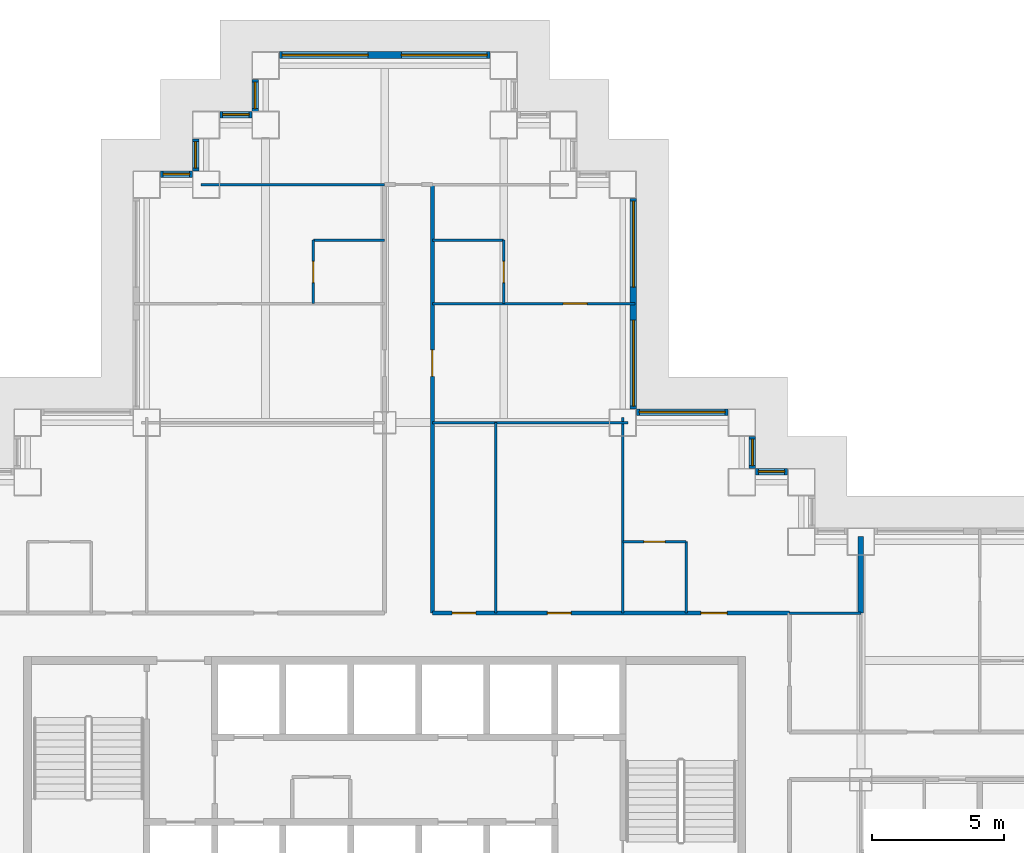
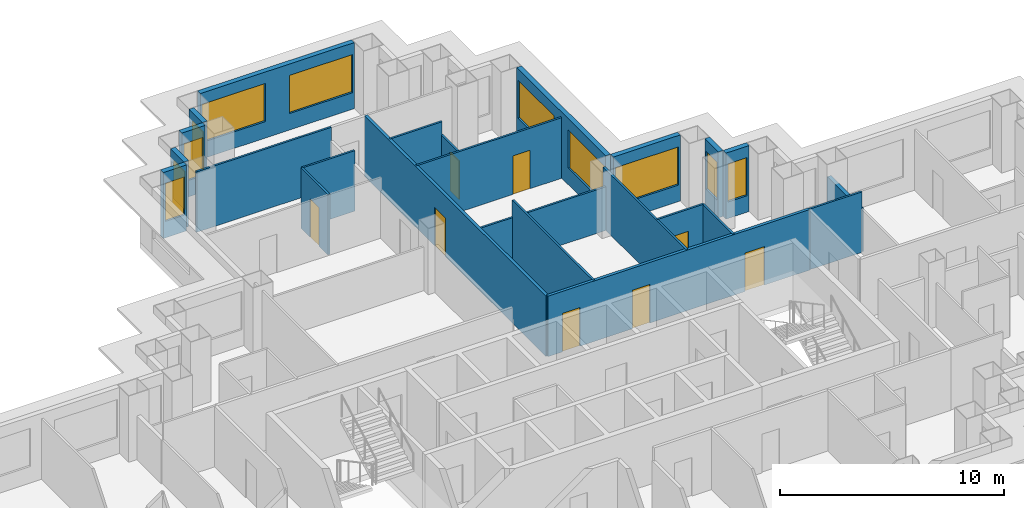
# One storey, part 8 of 14: 24 walls, 11 windows, 8 doors, 19 openings.
"""IFC4 building model written with IfcOpenShell, lengths in metres."""

from ifc_helpers import new_model, si_unit, direction, frame, frame_2d, origin, place, context, subcontext, project, spatial, rectangle, extrude, material, layer, layer_set, type_object, element, fill, save


model = new_model("IFC4")

# Units and contexts
model_context = context("Model", 3, precision=1e-05, world=origin(), true_north=direction((0.0, 1.0)))
body_context = subcontext(model_context, "Body", "Model", "MODEL_VIEW")
ifc_project = project(units=[si_unit("LENGTHUNIT", "METRE"), si_unit("AREAUNIT", "SQUARE_METRE"), si_unit("VOLUMEUNIT", "CUBIC_METRE"), si_unit("PLANEANGLEUNIT", "RADIAN"), si_unit("MASSUNIT", "GRAM", prefix="KILO")], contexts=[model_context])

# Site, building, storey
site_placement = place(None, origin())
site = spatial("IfcSite", under=ifc_project, at=site_placement, CompositionType="ELEMENT")
building_placement = place(site_placement, origin())
building = spatial("IfcBuilding", under=site, at=building_placement, Name="Caravel Reach Hotel and Residences", CompositionType="ELEMENT")
storey_placement = place(building_placement, frame((0.0, 0.0, 37.199951171875)))
storey = spatial("IfcBuildingStorey", under=building, at=storey_placement, Name="L07", CompositionType="ELEMENT", Elevation=37.199951171875)

# Wall, opening, door
ifc_material_1 = material(Name="Gypsum board on steel stud", Category="steel")
ifc_layer_1 = layer(ifc_material_1, 0.10009765625)
ifc_layer_set_1 = layer_set([ifc_layer_1], Name="Bathroom pod wall 100 mm")
wall_type_1 = type_object("IfcWallType", Name="Bathroom pod wall 100 mm", PredefinedType="PARTITIONING", material=ifc_layer_set_1)
wall_1_placement = place(storey_placement, frame((40.5, 36.0, 0.0), z_axis=(0.0, 0.0, 1.0), x_axis=(1.0, 0.0, 0.0)))
wall_1 = element("IfcWall", 1, at=wall_1_placement, inside=storey, type_object=wall_type_1, Name="L07 wall w086", PredefinedType="PARTITIONING", context=body_context, shape_type="SweptSolid", body=[
    extrude(rectangle(XDim=2.39990234375, YDim=0.10009765625, at=frame_2d((1.199951171875, 0.0))), origin(), (0.0, 0.0, 1.0), 3.300048828125),
])
opening_1_placement = place(wall_1_placement, frame((0.800048828125, 0.0, 0.0)))
opening_1 = element("IfcOpeningElement", 2, at=opening_1_placement, cuts=wall_1, Name="Opening D07-044", PredefinedType="OPENING", context=body_context, shape_type="SweptSolid", body=[
    extrude(rectangle(XDim=0.800048828125, YDim=2.10009765625, at=frame_2d((0.39990234375, 1.050048828125))), frame((0.0, 0.06005859375, 0.0), z_axis=(0.0, -1.0, 0.0), x_axis=(1.0, 0.0, 0.0)), (0.0, 0.0, 1.0), 0.1201171875),
])
ifc_material_2 = material(Name="Timber and steel door leaf", Category="steel")
door_type_1 = type_object("IfcDoorType", Name="Bathroom door 800 x 2100", OperationType="SINGLE_SWING_LEFT", PredefinedType="DOOR", material=ifc_material_2)
door_1_placement = place(opening_1_placement, origin())
door_1 = element("IfcDoor", 3, at=door_1_placement, inside=storey, type_object=door_type_1, Name="door D07-044", OperationType="SINGLE_SWING_LEFT", OverallHeight=2.10009765625, OverallWidth=0.800048828125, PredefinedType="DOOR", context=body_context, shape_type="SweptSolid", body=[
    extrude(rectangle(XDim=0.800048828125, YDim=2.10009765625, at=frame_2d((0.39990234375, 1.050048828125))), frame((0.0, 0.02490234375, 0.0), z_axis=(0.0, -1.0, 0.0), x_axis=(1.0, 0.0, 0.0)), (0.0, 0.0, 1.0), 0.050048828125),
])
fill(opening_1, door_1)

# Walls
for number, where, z_axis, x_axis, name in (
    (4, (33.300048828125, 47.39990234375, 0.0), (0.0, 0.0, 1.0), (1.0, 0.0, 0.0), "L07 wall w087"),
    (5, (28.800048828125, 47.39990234375, 0.0), (0.0, 0.0, 1.0), (1.0, 0.0, 0.0), "L07 wall w088"),
):
    element("IfcWall", number, at=place(storey_placement, frame(where, z_axis=z_axis, x_axis=x_axis)), inside=storey, type_object=wall_type_1, Name=name, PredefinedType="PARTITIONING", context=body_context, shape_type="SweptSolid", body=[
        extrude(rectangle(XDim=2.699951171875, YDim=0.10009765625, at=frame_2d((1.35009765625, 0.0))), origin(), (0.0, 0.0, 1.0), 3.300048828125),
    ])

# Wall, opening, door
wall_2_placement = place(storey_placement, frame((28.800048828125, 45.0, 0.0), z_axis=(0.0, 0.0, 1.0), x_axis=(0.0, 1.0, 0.0)))
wall_2 = element("IfcWall", 6, at=wall_2_placement, inside=storey, type_object=wall_type_1, Name="L07 wall w096", PredefinedType="PARTITIONING", context=body_context, shape_type="SweptSolid", body=[
    extrude(rectangle(XDim=2.39990234375, YDim=0.10009765625, at=frame_2d((1.199951171875, 0.0))), origin(), (0.0, 0.0, 1.0), 3.300048828125),
])
opening_2_placement = place(wall_2_placement, frame((0.800048828125, 0.0, 0.0)))
opening_2 = element("IfcOpeningElement", 7, at=opening_2_placement, cuts=wall_2, Name="Opening D07-028", PredefinedType="OPENING", context=body_context, shape_type="SweptSolid", body=[
    extrude(rectangle(XDim=0.800048828125, YDim=2.10009765625, at=frame_2d((0.39990234375, 1.050048828125))), frame((0.0, 0.06005859375, 0.0), z_axis=(0.0, -1.0, 0.0), x_axis=(1.0, 0.0, 0.0)), (0.0, 0.0, 1.0), 0.1201171875),
])
door_2_placement = place(opening_2_placement, origin())
door_2 = element("IfcDoor", 8, at=door_2_placement, inside=storey, type_object=door_type_1, Name="door D07-028", OperationType="SINGLE_SWING_LEFT", OverallHeight=2.10009765625, OverallWidth=0.800048828125, PredefinedType="DOOR", context=body_context, shape_type="SweptSolid", body=[
    extrude(rectangle(XDim=0.800048828125, YDim=2.10009765625, at=frame_2d((0.39990234375, 1.050048828125))), frame((0.0, 0.02490234375, 0.0), z_axis=(0.0, -1.0, 0.0), x_axis=(1.0, 0.0, 0.0)), (0.0, 0.0, 1.0), 0.050048828125),
])
fill(opening_2, door_2)

wall_3_placement = place(storey_placement, frame((36.0, 45.0, 0.0), z_axis=(0.0, 0.0, 1.0), x_axis=(0.0, 1.0, 0.0)))
wall_3 = element("IfcWall", 9, at=wall_3_placement, inside=storey, type_object=wall_type_1, Name="L07 wall w098", PredefinedType="PARTITIONING", context=body_context, shape_type="SweptSolid", body=[
    extrude(rectangle(XDim=2.39990234375, YDim=0.10009765625, at=frame_2d((1.199951171875, 0.0))), origin(), (0.0, 0.0, 1.0), 2.580078125),
])
opening_3_placement = place(wall_3_placement, frame((0.800048828125, 0.0, 0.0)))
opening_3 = element("IfcOpeningElement", 10, at=opening_3_placement, cuts=wall_3, Name="Opening D07-031", PredefinedType="OPENING", context=body_context, shape_type="SweptSolid", body=[
    extrude(rectangle(XDim=0.800048828125, YDim=2.10009765625, at=frame_2d((0.39990234375, 1.050048828125))), frame((0.0, 0.06005859375, 0.0), z_axis=(0.0, -1.0, 0.0), x_axis=(1.0, 0.0, 0.0)), (0.0, 0.0, 1.0), 0.1201171875),
])
door_3_placement = place(opening_3_placement, origin())
door_3 = element("IfcDoor", 11, at=door_3_placement, inside=storey, type_object=door_type_1, Name="door D07-031", OperationType="SINGLE_SWING_LEFT", OverallHeight=2.10009765625, OverallWidth=0.800048828125, PredefinedType="DOOR", context=body_context, shape_type="SweptSolid", body=[
    extrude(rectangle(XDim=0.800048828125, YDim=2.10009765625, at=frame_2d((0.39990234375, 1.050048828125))), frame((0.0, 0.02490234375, 0.0), z_axis=(0.0, -1.0, 0.0), x_axis=(1.0, 0.0, 0.0)), (0.0, 0.0, 1.0), 0.050048828125),
])
fill(opening_3, door_3)

# Wall
wall_4_placement = place(storey_placement, frame((42.89990234375, 33.300048828125, 0.0), z_axis=(0.0, 0.0, 1.0), x_axis=(0.0, 1.0, 0.0)))
element("IfcWall", 12, at=wall_4_placement, inside=storey, type_object=wall_type_1, Name="L07 wall w099", PredefinedType="PARTITIONING", context=body_context, shape_type="SweptSolid", body=[
    extrude(rectangle(XDim=2.699951171875, YDim=0.10009765625, at=frame_2d((1.35009765625, 0.0))), origin(), (0.0, 0.0, 1.0), 3.300048828125),
])

# Wall, openings, doors
ifc_material_3 = material(Name="Gypsum board on steel stud, fire-rated", Category="steel")
ifc_layer_2 = layer(ifc_material_3, 0.14990234375)
ifc_layer_set_2 = layer_set([ifc_layer_2], Name="Corridor wall 150 mm EI 60")
wall_type_2 = type_object("IfcWallType", Name="Corridor wall 150 mm EI 60", PredefinedType="PARTITIONING", material=ifc_layer_set_2)
wall_5_placement = place(storey_placement, frame((33.300048828125, 33.300048828125, 0.0), z_axis=(0.0, 0.0, 1.0), x_axis=(1.0, 0.0, 0.0)))
wall_5 = element("IfcWall", 13, at=wall_5_placement, inside=storey, type_object=wall_type_2, Name="L07 wall w019", PredefinedType="PARTITIONING", context=body_context, shape_type="SweptSolid", body=[
    extrude(rectangle(XDim=13.5, YDim=0.14990234375, at=frame_2d((6.75, 0.0))), origin(), (0.0, 0.0, 1.0), 3.300048828125),
])
opening_4_placement = place(wall_5_placement, frame((10.14990234375, 0.0, 0.0)))
opening_4 = element("IfcOpeningElement", 14, at=opening_4_placement, cuts=wall_5, Name="Opening D07-043", PredefinedType="OPENING", context=body_context, shape_type="SweptSolid", body=[
    extrude(rectangle(XDim=1.0, YDim=2.10009765625, at=frame_2d((0.5, 1.050048828125))), frame((0.0, 0.0849609375, 0.0), z_axis=(0.0, -1.0, 0.0), x_axis=(1.0, 0.0, 0.0)), (0.0, 0.0, 1.0), 0.169921875),
])
opening_5_placement = place(wall_5_placement, frame((0.75, 0.0, 0.0)))
opening_5 = element("IfcOpeningElement", 15, at=opening_5_placement, cuts=wall_5, Name="Opening D07-050", PredefinedType="OPENING", context=body_context, shape_type="SweptSolid", body=[
    extrude(rectangle(XDim=0.89990234375, YDim=2.10009765625, at=frame_2d((0.449951171875, 1.050048828125))), frame((0.0, 0.0849609375, 0.0), z_axis=(0.0, -1.0, 0.0), x_axis=(1.0, 0.0, 0.0)), (0.0, 0.0, 1.0), 0.169921875),
])
opening_6_placement = place(wall_5_placement, frame((4.349853515625, 0.0, 0.0)))
opening_6 = element("IfcOpeningElement", 16, at=opening_6_placement, cuts=wall_5, Name="Opening D07-051", PredefinedType="OPENING", context=body_context, shape_type="SweptSolid", body=[
    extrude(rectangle(XDim=0.89990234375, YDim=2.10009765625, at=frame_2d((0.449951171875, 1.050048828125))), frame((0.0, 0.0849609375, 0.0), z_axis=(0.0, -1.0, 0.0), x_axis=(1.0, 0.0, 0.0)), (0.0, 0.0, 1.0), 0.169921875),
])
ifc_material_4 = material(Name="Timber and steel door leaf", Category="steel")
door_type_2 = type_object("IfcDoorType", Name="Door 900 x 2100 timber", OperationType="SINGLE_SWING_LEFT", PredefinedType="DOOR", material=ifc_material_4)
door_4_placement = place(opening_5_placement, origin())
door_4 = element("IfcDoor", 17, at=door_4_placement, inside=storey, type_object=door_type_2, Name="door D07-050", OperationType="SINGLE_SWING_RIGHT", OverallHeight=2.10009765625, OverallWidth=0.89990234375, PredefinedType="DOOR", context=body_context, shape_type="SweptSolid", body=[
    extrude(rectangle(XDim=0.89990234375, YDim=2.10009765625, at=frame_2d((0.449951171875, 1.050048828125))), frame((0.0, 0.02490234375, 0.0), z_axis=(0.0, -1.0, 0.0), x_axis=(1.0, 0.0, 0.0)), (0.0, 0.0, 1.0), 0.050048828125),
])
fill(opening_5, door_4)
door_5_placement = place(opening_6_placement, origin())
door_5 = element("IfcDoor", 18, at=door_5_placement, inside=storey, type_object=door_type_2, Name="door D07-051", OperationType="SINGLE_SWING_LEFT", OverallHeight=2.10009765625, OverallWidth=0.89990234375, PredefinedType="DOOR", context=body_context, shape_type="SweptSolid", body=[
    extrude(rectangle(XDim=0.89990234375, YDim=2.10009765625, at=frame_2d((0.449951171875, 1.050048828125))), frame((0.0, 0.02490234375, 0.0), z_axis=(0.0, -1.0, 0.0), x_axis=(1.0, 0.0, 0.0)), (0.0, 0.0, 1.0), 0.050048828125),
])
fill(opening_6, door_5)
ifc_material_5 = material(Name="Steel fire door leaf", Category="steel")
door_type_3 = type_object("IfcDoorType", Name="Guest room door 1000 x 2100 EI 30", OperationType="SINGLE_SWING_LEFT", PredefinedType="DOOR", material=ifc_material_5)
door_6_placement = place(opening_4_placement, origin())
door_6 = element("IfcDoor", 19, at=door_6_placement, inside=storey, type_object=door_type_3, Name="door D07-043", OperationType="SINGLE_SWING_RIGHT", OverallHeight=2.10009765625, OverallWidth=1.0, PredefinedType="DOOR", context=body_context, shape_type="SweptSolid", body=[
    extrude(rectangle(XDim=1.0, YDim=2.10009765625, at=frame_2d((0.5, 1.050048828125))), frame((0.0, 0.02490234375, 0.0), z_axis=(0.0, -1.0, 0.0), x_axis=(1.0, 0.0, 0.0)), (0.0, 0.0, 1.0), 0.050048828125),
])
fill(opening_4, door_6)

# Wall, opening, door
wall_6_placement = place(storey_placement, frame((33.300048828125, 33.300048828125, 0.0), z_axis=(0.0, 0.0, 1.0), x_axis=(0.0, 1.0, 0.0)))
wall_6 = element("IfcWall", 20, at=wall_6_placement, inside=storey, type_object=wall_type_2, Name="L07 wall w031", PredefinedType="PARTITIONING", context=body_context, shape_type="SweptSolid", body=[
    extrude(rectangle(XDim=16.199951171875, YDim=0.14990234375, at=frame_2d((8.10009765625, 0.0))), origin(), (0.0, 0.0, 1.0), 3.300048828125),
])
opening_7_placement = place(wall_6_placement, frame((8.949951171875, 0.0, 0.0)))
opening_7 = element("IfcOpeningElement", 21, at=opening_7_placement, cuts=wall_6, Name="Opening D07-029", PredefinedType="OPENING", context=body_context, shape_type="SweptSolid", body=[
    extrude(rectangle(XDim=1.0, YDim=2.10009765625, at=frame_2d((0.5, 1.050048828125))), frame((0.0, 0.0849609375, 0.0), z_axis=(0.0, -1.0, 0.0), x_axis=(1.0, 0.0, 0.0)), (0.0, 0.0, 1.0), 0.169921875),
])
door_7_placement = place(opening_7_placement, origin())
door_7 = element("IfcDoor", 22, at=door_7_placement, inside=storey, type_object=door_type_3, Name="door D07-029", OperationType="SINGLE_SWING_RIGHT", OverallHeight=2.10009765625, OverallWidth=1.0, PredefinedType="DOOR", context=body_context, shape_type="SweptSolid", body=[
    extrude(rectangle(XDim=1.0, YDim=2.10009765625, at=frame_2d((0.5, 1.050048828125))), frame((0.0, 0.02490234375, 0.0), z_axis=(0.0, -1.0, 0.0), x_axis=(1.0, 0.0, 0.0)), (0.0, 0.0, 1.0), 0.050048828125),
])
fill(opening_7, door_7)

# Wall, opening, window
ifc_material_6 = material(Name="Insulated rainscreen wall, aluminium cladding", Category="aluminium")
ifc_layer_3 = layer(ifc_material_6, 0.25)
ifc_layer_set_3 = layer_set([ifc_layer_3], Name="EW1 Tower rainscreen wall")
wall_type_3 = type_object("IfcWallType", Name="EW1 Tower rainscreen wall", PredefinedType="SOLIDWALL", material=ifc_layer_set_3)
wall_7_placement = place(storey_placement, frame((46.72509765625, 38.64990234375, 0.0), z_axis=(0.0, 0.0, 1.0), x_axis=(-1.0, 0.0, 0.0)))
wall_7 = element("IfcWall", 23, at=wall_7_placement, inside=storey, type_object=wall_type_3, Name="External wall L07 N27.1", PredefinedType="SOLIDWALL", context=body_context, shape_type="SweptSolid", body=[
    extrude(rectangle(XDim=1.2001953125, YDim=0.25, at=frame_2d((0.60009765625, 0.0))), origin(), (0.0, 0.0, 1.0), 3.60009765625),
])
opening_8_placement = place(wall_7_placement, frame((0.10009765625, 0.0, 0.89990234375)))
opening_8 = element("IfcOpeningElement", 24, at=opening_8_placement, cuts=wall_7, Name="Opening WN1", PredefinedType="OPENING", context=body_context, shape_type="SweptSolid", body=[
    extrude(rectangle(XDim=1.0, YDim=2.080078125, at=frame_2d((0.5, 1.0400390625))), frame((0.0, 0.135009765625, 0.0), z_axis=(0.0, -1.0, 0.0), x_axis=(1.0, 0.0, 0.0)), (0.0, 0.0, 1.0), 0.27001953125),
])
ifc_material_7 = material(Name="Dark low-e glazing in black aluminium frame", Category="aluminium")
window_type_1 = type_object("IfcWindowType", Name="Hotel suite corner window 1000 x 2080", PartitioningType="SINGLE_PANEL", PredefinedType="WINDOW", material=ifc_material_7)
window_1_placement = place(opening_8_placement, origin())
window_1 = element("IfcWindow", 25, at=window_1_placement, inside=storey, type_object=window_type_1, Name="Window L07 N27.1.1", OverallHeight=2.080078125, OverallWidth=1.0, PartitioningType="SINGLE_PANEL", PredefinedType="WINDOW", context=body_context, shape_type="SweptSolid", body=[
    extrude(rectangle(XDim=1.0, YDim=2.080078125, at=frame_2d((0.5, 1.0400390625))), frame((0.0, 0.030029296875, 0.0), z_axis=(0.0, -1.0, 0.0), x_axis=(1.0, 0.0, 0.0)), (0.0, 0.0, 1.0), 0.06005859375),
])
fill(opening_8, window_1)

wall_8_placement = place(storey_placement, frame((45.39990234375, 38.77490234375, 0.0), z_axis=(0.0, 0.0, 1.0), x_axis=(0.0, 1.0, 0.0)))
wall_8 = element("IfcWall", 26, at=wall_8_placement, inside=storey, type_object=wall_type_3, Name="External wall L07 E28.1", PredefinedType="SOLIDWALL", context=body_context, shape_type="SweptSolid", body=[
    extrude(rectangle(XDim=1.2001953125, YDim=0.25, at=frame_2d((0.60009765625, 0.0))), origin(), (0.0, 0.0, 1.0), 3.60009765625),
])
opening_9_placement = place(wall_8_placement, frame((0.10009765625, 0.0, 0.89990234375)))
opening_9 = element("IfcOpeningElement", 27, at=opening_9_placement, cuts=wall_8, Name="Opening WN1", PredefinedType="OPENING", context=body_context, shape_type="SweptSolid", body=[
    extrude(rectangle(XDim=1.0, YDim=2.080078125, at=frame_2d((0.5, 1.0400390625))), frame((0.0, 0.135009765625, 0.0), z_axis=(0.0, -1.0, 0.0), x_axis=(1.0, 0.0, 0.0)), (0.0, 0.0, 1.0), 0.27001953125),
])
window_2_placement = place(opening_9_placement, origin())
window_2 = element("IfcWindow", 28, at=window_2_placement, inside=storey, type_object=window_type_1, Name="Window L07 E28.1.1", OverallHeight=2.080078125, OverallWidth=1.0, PartitioningType="SINGLE_PANEL", PredefinedType="WINDOW", context=body_context, shape_type="SweptSolid", body=[
    extrude(rectangle(XDim=1.0, YDim=2.080078125, at=frame_2d((0.5, 1.0400390625))), frame((0.0, 0.030029296875, 0.0), z_axis=(0.0, -1.0, 0.0), x_axis=(1.0, 0.0, 0.0)), (0.0, 0.0, 1.0), 0.06005859375),
])
fill(opening_9, window_2)

wall_9_placement = place(storey_placement, frame((44.47509765625, 40.89990234375, 0.0), z_axis=(0.0, 0.0, 1.0), x_axis=(-1.0, 0.0, 0.0)))
wall_9 = element("IfcWall", 29, at=wall_9_placement, inside=storey, type_object=wall_type_3, Name="External wall L07 N29.1", PredefinedType="SOLIDWALL", context=body_context, shape_type="SweptSolid", body=[
    extrude(rectangle(XDim=3.4501953125, YDim=0.25, at=frame_2d((1.72509765625, 0.0))), origin(), (0.0, 0.0, 1.0), 3.60009765625),
])
opening_10_placement = place(wall_9_placement, frame((0.10009765625, 0.0, 0.89990234375)))
opening_10 = element("IfcOpeningElement", 30, at=opening_10_placement, cuts=wall_9, Name="Opening WN2", PredefinedType="OPENING", context=body_context, shape_type="SweptSolid", body=[
    extrude(rectangle(XDim=3.25, YDim=2.080078125, at=frame_2d((1.625, 1.0400390625))), frame((0.0, 0.135009765625, 0.0), z_axis=(0.0, -1.0, 0.0), x_axis=(1.0, 0.0, 0.0)), (0.0, 0.0, 1.0), 0.27001953125),
])
ifc_material_8 = material(Name="Dark low-e glazing in black aluminium frame", Category="aluminium")
window_type_2 = type_object("IfcWindowType", Name="Hotel guest room window 3250 x 2080", PartitioningType="SINGLE_PANEL", PredefinedType="WINDOW", material=ifc_material_8)
window_3_placement = place(opening_10_placement, origin())
window_3 = element("IfcWindow", 31, at=window_3_placement, inside=storey, type_object=window_type_2, Name="Window L07 N29.1.1", OverallHeight=2.080078125, OverallWidth=3.25, PartitioningType="SINGLE_PANEL", PredefinedType="WINDOW", context=body_context, shape_type="SweptSolid", body=[
    extrude(rectangle(XDim=3.25, YDim=2.080078125, at=frame_2d((1.625, 1.0400390625))), frame((0.0, 0.030029296875, 0.0), z_axis=(0.0, -1.0, 0.0), x_axis=(1.0, 0.0, 0.0)), (0.0, 0.0, 1.0), 0.06005859375),
])
fill(opening_10, window_3)

# Wall, openings, windows
wall_10_placement = place(storey_placement, frame((40.89990234375, 41.02490234375, 0.0), z_axis=(0.0, 0.0, 1.0), x_axis=(0.0, 1.0, 0.0)))
wall_10 = element("IfcWall", 32, at=wall_10_placement, inside=storey, type_object=wall_type_3, Name="External wall L07 E30.1", PredefinedType="SOLIDWALL", context=body_context, shape_type="SweptSolid", body=[
    extrude(rectangle(XDim=7.9501953125, YDim=0.25, at=frame_2d((3.97509765625, 0.0))), origin(), (0.0, 0.0, 1.0), 3.60009765625),
])
opening_11_placement = place(wall_10_placement, frame((0.10009765625, 0.0, 0.89990234375)))
opening_11 = element("IfcOpeningElement", 33, at=opening_11_placement, cuts=wall_10, Name="Opening WN2", PredefinedType="OPENING", context=body_context, shape_type="SweptSolid", body=[
    extrude(rectangle(XDim=3.25, YDim=2.080078125, at=frame_2d((1.625, 1.0400390625))), frame((0.0, 0.135009765625, 0.0), z_axis=(0.0, -1.0, 0.0), x_axis=(1.0, 0.0, 0.0)), (0.0, 0.0, 1.0), 0.27001953125),
])
opening_12_placement = place(wall_10_placement, frame((4.60009765625, 0.0, 0.89990234375)))
opening_12 = element("IfcOpeningElement", 34, at=opening_12_placement, cuts=wall_10, Name="Opening WN2", PredefinedType="OPENING", context=body_context, shape_type="SweptSolid", body=[
    extrude(rectangle(XDim=3.25, YDim=2.080078125, at=frame_2d((1.625, 1.0400390625))), frame((0.0, 0.135009765625, 0.0), z_axis=(0.0, -1.0, 0.0), x_axis=(1.0, 0.0, 0.0)), (0.0, 0.0, 1.0), 0.27001953125),
])
window_4_placement = place(opening_11_placement, origin())
window_4 = element("IfcWindow", 35, at=window_4_placement, inside=storey, type_object=window_type_2, Name="Window L07 E30.1.1", OverallHeight=2.080078125, OverallWidth=3.25, PartitioningType="SINGLE_PANEL", PredefinedType="WINDOW", context=body_context, shape_type="SweptSolid", body=[
    extrude(rectangle(XDim=3.25, YDim=2.080078125, at=frame_2d((1.625, 1.0400390625))), frame((0.0, 0.030029296875, 0.0), z_axis=(0.0, -1.0, 0.0), x_axis=(1.0, 0.0, 0.0)), (0.0, 0.0, 1.0), 0.06005859375),
])
fill(opening_11, window_4)
window_5_placement = place(opening_12_placement, origin())
window_5 = element("IfcWindow", 36, at=window_5_placement, inside=storey, type_object=window_type_2, Name="Window L07 E30.1.2", OverallHeight=2.080078125, OverallWidth=3.25, PartitioningType="SINGLE_PANEL", PredefinedType="WINDOW", context=body_context, shape_type="SweptSolid", body=[
    extrude(rectangle(XDim=3.25, YDim=2.080078125, at=frame_2d((1.625, 1.0400390625))), frame((0.0, 0.030029296875, 0.0), z_axis=(0.0, -1.0, 0.0), x_axis=(1.0, 0.0, 0.0)), (0.0, 0.0, 1.0), 0.06005859375),
])
fill(opening_12, window_5)

wall_11_placement = place(storey_placement, frame((35.47509765625, 54.39990234375, 0.0), z_axis=(0.0, 0.0, 1.0), x_axis=(-1.0, 0.0, 0.0)))
wall_11 = element("IfcWall", 37, at=wall_11_placement, inside=storey, type_object=wall_type_3, Name="External wall L07 N35.1", PredefinedType="SOLIDWALL", context=body_context, shape_type="SweptSolid", body=[
    extrude(rectangle(XDim=7.9501953125, YDim=0.25, at=frame_2d((3.97509765625, 0.0))), origin(), (0.0, 0.0, 1.0), 3.60009765625),
])
opening_13_placement = place(wall_11_placement, frame((0.10009765625, 0.0, 0.89990234375)))
opening_13 = element("IfcOpeningElement", 38, at=opening_13_placement, cuts=wall_11, Name="Opening WN2", PredefinedType="OPENING", context=body_context, shape_type="SweptSolid", body=[
    extrude(rectangle(XDim=3.25, YDim=2.080078125, at=frame_2d((1.625, 1.0400390625))), frame((0.0, 0.135009765625, 0.0), z_axis=(0.0, -1.0, 0.0), x_axis=(1.0, 0.0, 0.0)), (0.0, 0.0, 1.0), 0.27001953125),
])
opening_14_placement = place(wall_11_placement, frame((4.60009765625, 0.0, 0.89990234375)))
opening_14 = element("IfcOpeningElement", 39, at=opening_14_placement, cuts=wall_11, Name="Opening WN2", PredefinedType="OPENING", context=body_context, shape_type="SweptSolid", body=[
    extrude(rectangle(XDim=3.25, YDim=2.080078125, at=frame_2d((1.625, 1.0400390625))), frame((0.0, 0.135009765625, 0.0), z_axis=(0.0, -1.0, 0.0), x_axis=(1.0, 0.0, 0.0)), (0.0, 0.0, 1.0), 0.27001953125),
])
window_6_placement = place(opening_13_placement, origin())
window_6 = element("IfcWindow", 40, at=window_6_placement, inside=storey, type_object=window_type_2, Name="Window L07 N35.1.1", OverallHeight=2.080078125, OverallWidth=3.25, PartitioningType="SINGLE_PANEL", PredefinedType="WINDOW", context=body_context, shape_type="SweptSolid", body=[
    extrude(rectangle(XDim=3.25, YDim=2.080078125, at=frame_2d((1.625, 1.0400390625))), frame((0.0, 0.030029296875, 0.0), z_axis=(0.0, -1.0, 0.0), x_axis=(1.0, 0.0, 0.0)), (0.0, 0.0, 1.0), 0.06005859375),
])
fill(opening_13, window_6)
window_7_placement = place(opening_14_placement, origin())
window_7 = element("IfcWindow", 41, at=window_7_placement, inside=storey, type_object=window_type_2, Name="Window L07 N35.1.2", OverallHeight=2.080078125, OverallWidth=3.25, PartitioningType="SINGLE_PANEL", PredefinedType="WINDOW", context=body_context, shape_type="SweptSolid", body=[
    extrude(rectangle(XDim=3.25, YDim=2.080078125, at=frame_2d((1.625, 1.0400390625))), frame((0.0, 0.030029296875, 0.0), z_axis=(0.0, -1.0, 0.0), x_axis=(1.0, 0.0, 0.0)), (0.0, 0.0, 1.0), 0.06005859375),
])
fill(opening_14, window_7)

# Wall, opening, window
wall_12_placement = place(storey_placement, frame((26.60009765625, 53.47509765625, 0.0), z_axis=(0.0, 0.0, 1.0), x_axis=(0.0, -1.0, 0.0)))
wall_12 = element("IfcWall", 42, at=wall_12_placement, inside=storey, type_object=wall_type_3, Name="External wall L07 W36.1", PredefinedType="SOLIDWALL", context=body_context, shape_type="SweptSolid", body=[
    extrude(rectangle(XDim=1.2001953125, YDim=0.25, at=frame_2d((0.60009765625, 0.0))), origin(), (0.0, 0.0, 1.0), 3.60009765625),
])
opening_15_placement = place(wall_12_placement, frame((0.10009765625, 0.0, 0.89990234375)))
opening_15 = element("IfcOpeningElement", 43, at=opening_15_placement, cuts=wall_12, Name="Opening WN1", PredefinedType="OPENING", context=body_context, shape_type="SweptSolid", body=[
    extrude(rectangle(XDim=1.0, YDim=2.080078125, at=frame_2d((0.5, 1.0400390625))), frame((0.0, 0.135009765625, 0.0), z_axis=(0.0, -1.0, 0.0), x_axis=(1.0, 0.0, 0.0)), (0.0, 0.0, 1.0), 0.27001953125),
])
window_8_placement = place(opening_15_placement, origin())
window_8 = element("IfcWindow", 44, at=window_8_placement, inside=storey, type_object=window_type_1, Name="Window L07 W36.1.1", OverallHeight=2.080078125, OverallWidth=1.0, PartitioningType="SINGLE_PANEL", PredefinedType="WINDOW", context=body_context, shape_type="SweptSolid", body=[
    extrude(rectangle(XDim=1.0, YDim=2.080078125, at=frame_2d((0.5, 1.0400390625))), frame((0.0, 0.030029296875, 0.0), z_axis=(0.0, -1.0, 0.0), x_axis=(1.0, 0.0, 0.0)), (0.0, 0.0, 1.0), 0.06005859375),
])
fill(opening_15, window_8)

wall_13_placement = place(storey_placement, frame((26.47509765625, 52.14990234375, 0.0), z_axis=(0.0, 0.0, 1.0), x_axis=(-1.0, 0.0, 0.0)))
wall_13 = element("IfcWall", 45, at=wall_13_placement, inside=storey, type_object=wall_type_3, Name="External wall L07 N37.1", PredefinedType="SOLIDWALL", context=body_context, shape_type="SweptSolid", body=[
    extrude(rectangle(XDim=1.2001953125, YDim=0.25, at=frame_2d((0.60009765625, 0.0))), origin(), (0.0, 0.0, 1.0), 3.60009765625),
])
opening_16_placement = place(wall_13_placement, frame((0.10009765625, 0.0, 0.89990234375)))
opening_16 = element("IfcOpeningElement", 46, at=opening_16_placement, cuts=wall_13, Name="Opening WN1", PredefinedType="OPENING", context=body_context, shape_type="SweptSolid", body=[
    extrude(rectangle(XDim=1.0, YDim=2.080078125, at=frame_2d((0.5, 1.0400390625))), frame((0.0, 0.135009765625, 0.0), z_axis=(0.0, -1.0, 0.0), x_axis=(1.0, 0.0, 0.0)), (0.0, 0.0, 1.0), 0.27001953125),
])
window_9_placement = place(opening_16_placement, origin())
window_9 = element("IfcWindow", 47, at=window_9_placement, inside=storey, type_object=window_type_1, Name="Window L07 N37.1.1", OverallHeight=2.080078125, OverallWidth=1.0, PartitioningType="SINGLE_PANEL", PredefinedType="WINDOW", context=body_context, shape_type="SweptSolid", body=[
    extrude(rectangle(XDim=1.0, YDim=2.080078125, at=frame_2d((0.5, 1.0400390625))), frame((0.0, 0.030029296875, 0.0), z_axis=(0.0, -1.0, 0.0), x_axis=(1.0, 0.0, 0.0)), (0.0, 0.0, 1.0), 0.06005859375),
])
fill(opening_16, window_9)

wall_14_placement = place(storey_placement, frame((24.35009765625, 51.22509765625, 0.0), z_axis=(0.0, 0.0, 1.0), x_axis=(0.0, -1.0, 0.0)))
wall_14 = element("IfcWall", 48, at=wall_14_placement, inside=storey, type_object=wall_type_3, Name="External wall L07 W38.1", PredefinedType="SOLIDWALL", context=body_context, shape_type="SweptSolid", body=[
    extrude(rectangle(XDim=1.2001953125, YDim=0.25, at=frame_2d((0.60009765625, 0.0))), origin(), (0.0, 0.0, 1.0), 3.60009765625),
])
opening_17_placement = place(wall_14_placement, frame((0.10009765625, 0.0, 0.89990234375)))
opening_17 = element("IfcOpeningElement", 49, at=opening_17_placement, cuts=wall_14, Name="Opening WN1", PredefinedType="OPENING", context=body_context, shape_type="SweptSolid", body=[
    extrude(rectangle(XDim=1.0, YDim=2.080078125, at=frame_2d((0.5, 1.0400390625))), frame((0.0, 0.135009765625, 0.0), z_axis=(0.0, -1.0, 0.0), x_axis=(1.0, 0.0, 0.0)), (0.0, 0.0, 1.0), 0.27001953125),
])
window_10_placement = place(opening_17_placement, origin())
window_10 = element("IfcWindow", 50, at=window_10_placement, inside=storey, type_object=window_type_1, Name="Window L07 W38.1.1", OverallHeight=2.080078125, OverallWidth=1.0, PartitioningType="SINGLE_PANEL", PredefinedType="WINDOW", context=body_context, shape_type="SweptSolid", body=[
    extrude(rectangle(XDim=1.0, YDim=2.080078125, at=frame_2d((0.5, 1.0400390625))), frame((0.0, 0.030029296875, 0.0), z_axis=(0.0, -1.0, 0.0), x_axis=(1.0, 0.0, 0.0)), (0.0, 0.0, 1.0), 0.06005859375),
])
fill(opening_17, window_10)

wall_15_placement = place(storey_placement, frame((24.22509765625, 49.89990234375, 0.0), z_axis=(0.0, 0.0, 1.0), x_axis=(-1.0, 0.0, 0.0)))
wall_15 = element("IfcWall", 51, at=wall_15_placement, inside=storey, type_object=wall_type_3, Name="External wall L07 N39.1", PredefinedType="SOLIDWALL", context=body_context, shape_type="SweptSolid", body=[
    extrude(rectangle(XDim=1.2001953125, YDim=0.25, at=frame_2d((0.60009765625, 0.0))), origin(), (0.0, 0.0, 1.0), 3.60009765625),
])
opening_18_placement = place(wall_15_placement, frame((0.10009765625, 0.0, 0.89990234375)))
opening_18 = element("IfcOpeningElement", 52, at=opening_18_placement, cuts=wall_15, Name="Opening WN1", PredefinedType="OPENING", context=body_context, shape_type="SweptSolid", body=[
    extrude(rectangle(XDim=1.0, YDim=2.080078125, at=frame_2d((0.5, 1.0400390625))), frame((0.0, 0.135009765625, 0.0), z_axis=(0.0, -1.0, 0.0), x_axis=(1.0, 0.0, 0.0)), (0.0, 0.0, 1.0), 0.27001953125),
])
window_11_placement = place(opening_18_placement, origin())
window_11 = element("IfcWindow", 53, at=window_11_placement, inside=storey, type_object=window_type_1, Name="Window L07 N39.1.1", OverallHeight=2.080078125, OverallWidth=1.0, PartitioningType="SINGLE_PANEL", PredefinedType="WINDOW", context=body_context, shape_type="SweptSolid", body=[
    extrude(rectangle(XDim=1.0, YDim=2.080078125, at=frame_2d((0.5, 1.0400390625))), frame((0.0, 0.030029296875, 0.0), z_axis=(0.0, -1.0, 0.0), x_axis=(1.0, 0.0, 0.0)), (0.0, 0.0, 1.0), 0.06005859375),
])
fill(opening_18, window_11)

# Walls
ifc_material_9 = material(Name="Gypsum board on steel stud", Category="steel")
ifc_layer_4 = layer(ifc_material_9, 0.10009765625)
ifc_layer_set_4 = layer_set([ifc_layer_4], Name="Partition 100 mm")
wall_type_4 = type_object("IfcWallType", Name="Partition 100 mm", PredefinedType="PARTITIONING", material=ifc_layer_set_4)
wall_16_placement = place(storey_placement, frame((46.800048828125, 33.300048828125, 0.0), z_axis=(0.0, 0.0, 1.0), x_axis=(1.0, 0.0, 0.0)))
element("IfcWall", 54, at=wall_16_placement, inside=storey, type_object=wall_type_4, Name="L07 wall w044", PredefinedType="PARTITIONING", context=body_context, shape_type="SweptSolid", body=[
    extrude(rectangle(XDim=2.699951171875, YDim=0.10009765625, at=frame_2d((1.35009765625, 0.0))), origin(), (0.0, 0.0, 1.0), 3.300048828125),
])
wall_17_placement = place(storey_placement, frame((33.300048828125, 40.5, 0.0), z_axis=(0.0, 0.0, 1.0), x_axis=(1.0, 0.0, 0.0)))
element("IfcWall", 55, at=wall_17_placement, inside=storey, type_object=wall_type_4, Name="L07 wall w045", PredefinedType="PARTITIONING", context=body_context, shape_type="SweptSolid", body=[
    extrude(rectangle(XDim=7.389892578125, YDim=0.10009765625, at=frame_2d((3.69482421875, 0.0))), origin(), (0.0, 0.0, 1.0), 2.380126953125),
])

# Wall, opening, door
wall_18_placement = place(storey_placement, frame((33.300048828125, 45.0, 0.0), z_axis=(0.0, 0.0, 1.0), x_axis=(1.0, 0.0, 0.0)))
wall_18 = element("IfcWall", 56, at=wall_18_placement, inside=storey, type_object=wall_type_4, Name="L07 wall w048", PredefinedType="PARTITIONING", context=body_context, shape_type="SweptSolid", body=[
    extrude(rectangle(XDim=7.6650390625, YDim=0.10009765625, at=frame_2d((3.83251953125, 0.0))), origin(), (0.0, 0.0, 1.0), 3.300048828125),
])
opening_19_placement = place(wall_18_placement, frame((4.949951171875, 0.0, 0.0)))
opening_19 = element("IfcOpeningElement", 57, at=opening_19_placement, cuts=wall_18, Name="Opening D07-030", PredefinedType="OPENING", context=body_context, shape_type="SweptSolid", body=[
    extrude(rectangle(XDim=0.89990234375, YDim=2.10009765625, at=frame_2d((0.449951171875, 1.050048828125))), frame((0.0, 0.06005859375, 0.0), z_axis=(0.0, -1.0, 0.0), x_axis=(1.0, 0.0, 0.0)), (0.0, 0.0, 1.0), 0.1201171875),
])
door_8_placement = place(opening_19_placement, origin())
door_8 = element("IfcDoor", 58, at=door_8_placement, inside=storey, type_object=door_type_2, Name="door D07-030", OperationType="SINGLE_SWING_RIGHT", OverallHeight=2.10009765625, OverallWidth=0.89990234375, PredefinedType="DOOR", context=body_context, shape_type="SweptSolid", body=[
    extrude(rectangle(XDim=0.89990234375, YDim=2.10009765625, at=frame_2d((0.449951171875, 1.050048828125))), frame((0.0, 0.02490234375, 0.0), z_axis=(0.0, -1.0, 0.0), x_axis=(1.0, 0.0, 0.0)), (0.0, 0.0, 1.0), 0.050048828125),
])
fill(opening_19, door_8)

# Walls
wall_19_placement = place(storey_placement, frame((24.56005859375, 49.5, 0.0), z_axis=(0.0, 0.0, 1.0), x_axis=(1.0, 0.0, 0.0)))
element("IfcWall", 59, at=wall_19_placement, inside=storey, type_object=wall_type_4, Name="L07 wall w051", PredefinedType="PARTITIONING", context=body_context, shape_type="SweptSolid", body=[
    extrude(rectangle(XDim=6.93994140625, YDim=0.10009765625, at=frame_2d((3.469970703125, 0.0))), origin(), (0.0, 0.0, 1.0), 3.300048828125),
])
wall_20_placement = place(storey_placement, frame((35.699951171875, 33.300048828125, 0.0), z_axis=(0.0, 0.0, 1.0), x_axis=(0.0, 1.0, 0.0)))
element("IfcWall", 60, at=wall_20_placement, inside=storey, type_object=wall_type_4, Name="L07 wall w059", PredefinedType="PARTITIONING", context=body_context, shape_type="SweptSolid", body=[
    extrude(rectangle(XDim=7.199951171875, YDim=0.10009765625, at=frame_2d((3.60009765625, 0.0))), origin(), (0.0, 0.0, 1.0), 3.300048828125),
])
wall_21_placement = place(storey_placement, frame((40.5, 33.300048828125, 0.0), z_axis=(0.0, 0.0, 1.0), x_axis=(0.0, 1.0, 0.0)))
element("IfcWall", 61, at=wall_21_placement, inside=storey, type_object=wall_type_4, Name="L07 wall w060", PredefinedType="PARTITIONING", context=body_context, shape_type="SweptSolid", body=[
    extrude(rectangle(XDim=7.389892578125, YDim=0.10009765625, at=frame_2d((3.69482421875, 0.0))), origin(), (0.0, 0.0, 1.0), 3.300048828125),
])
ifc_material_10 = material(Name="Autoclaved aerated block wall")
ifc_layer_5 = layer(ifc_material_10, 0.199951171875)
ifc_layer_set_5 = layer_set([ifc_layer_5], Name="Party wall 200 mm EI 60")
wall_type_5 = type_object("IfcWallType", Name="Party wall 200 mm EI 60", PredefinedType="PARTITIONING", material=ifc_layer_set_5)
wall_22_placement = place(storey_placement, frame((49.5, 33.300048828125, 0.0), z_axis=(0.0, 0.0, 1.0), x_axis=(0.0, 1.0, 0.0)))
element("IfcWall", 62, at=wall_22_placement, inside=storey, type_object=wall_type_5, Name="L07 wall w070", PredefinedType="PARTITIONING", context=body_context, shape_type="SweptSolid", body=[
    extrude(rectangle(XDim=2.889892578125, YDim=0.199951171875, at=frame_2d((1.44482421875, 0.0))), origin(), (0.0, 0.0, 1.0), 2.380126953125),
])

save(model, "model.ifc")
